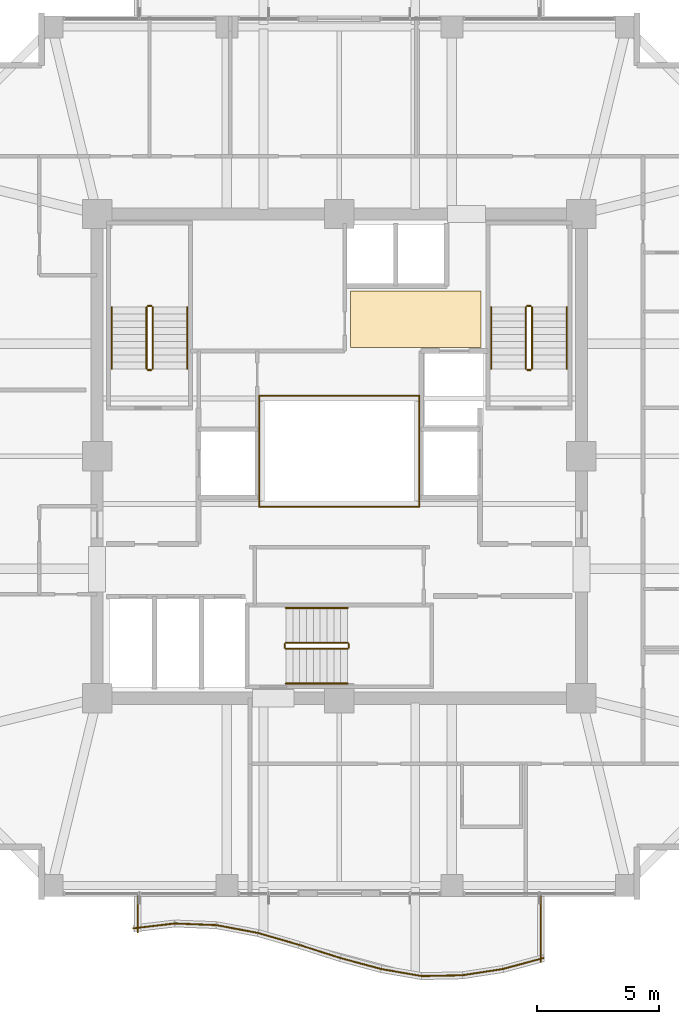
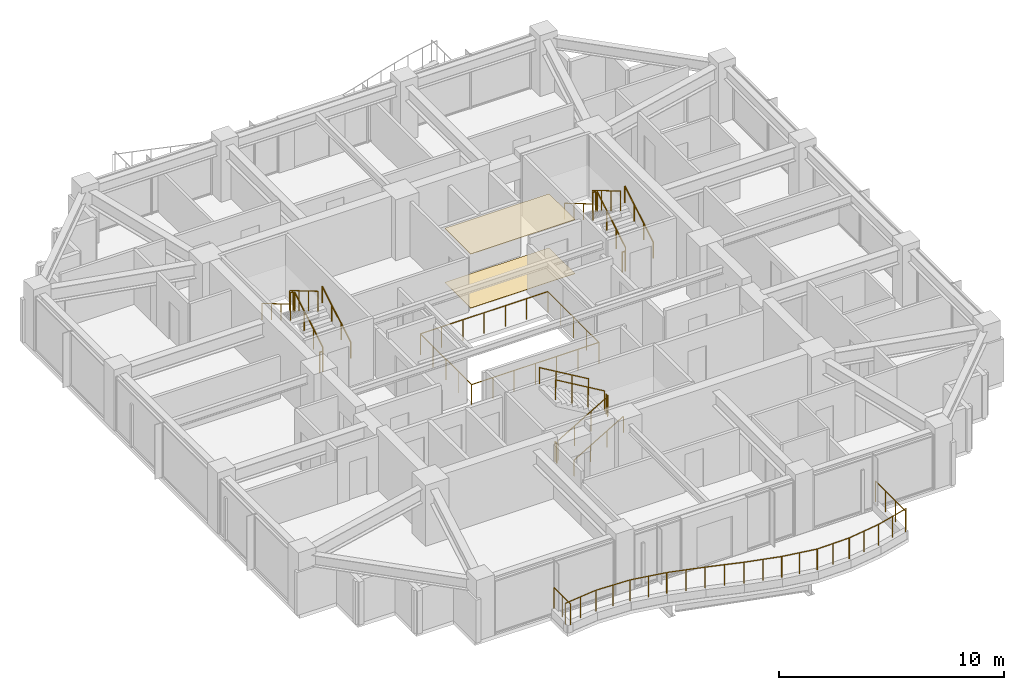
# One storey, part 30 of 31: 34 railings, 2 coverings.
"""IFC4 building model written with IfcOpenShell, lengths in metres."""

from ifc_helpers import new_model, si_unit, direction, frame, origin, origin_2d, place, context, subcontext, project, spatial, polyline, circle, outline, extrude, material, layer, layer_set, type_object, element, save


model = new_model("IFC4")

# Units and contexts
model_context = context("Model", 3, precision=1e-05, world=origin(), true_north=direction((0.0, 1.0)))
body_context = subcontext(model_context, "Body", "Model", "MODEL_VIEW")
ifc_project = project(units=[si_unit("LENGTHUNIT", "METRE"), si_unit("AREAUNIT", "SQUARE_METRE"), si_unit("VOLUMEUNIT", "CUBIC_METRE"), si_unit("PLANEANGLEUNIT", "RADIAN"), si_unit("MASSUNIT", "GRAM", prefix="KILO")], contexts=[model_context])

# Site, building, storey
site_placement = place(None, origin())
site = spatial("IfcSite", under=ifc_project, at=site_placement, CompositionType="ELEMENT")
building_placement = place(site_placement, origin())
building = spatial("IfcBuilding", under=site, at=building_placement, Name="Kolvaren Belvedere", CompositionType="ELEMENT")
storey_placement = place(building_placement, frame((0.0, 0.0, 144.800048828125)))
storey = spatial("IfcBuildingStorey", under=building, at=storey_placement, Name="L42", CompositionType="ELEMENT", Elevation=144.800048828125)

# Coverings
ifc_material_1 = material(Name="Acoustic perforated gypsum board", Category="gypsum")
ifc_layer_1 = layer(ifc_material_1, 0.02490234375)
ifc_layer_set_1 = layer_set([ifc_layer_1], Name="Acoustic perforated gypsum board")
covering_type_1 = type_object("IfcCoveringType", Name="COV-CEIL-GYP", PredefinedType="CEILING", material=ifc_layer_set_1)
covering_1_placement = place(storey_placement, frame((0.0, 0.0, 2.925048828125)))
element("IfcCovering", 1, at=covering_1_placement, inside=storey, type_object=covering_type_1, Name="L42 Lift Lobby Acoustic Baffle Ceiling", PredefinedType="CEILING", context=body_context, shape_type="SweptSolid", body=[
    extrude(outline(polyline([(0.449951171875, 4.449951171875), (5.800048828125, 4.449951171875), (5.800048828125, 6.75), (0.449951171875, 6.75), (0.449951171875, 4.449951171875)])), origin(), (0.0, 0.0, 1.0), 0.02490234375),
])
ifc_material_2 = material(Name="Engineered Pacific white oak", Category="timber")
ifc_layer_2 = layer(ifc_material_2, 0.02001953125)
ifc_layer_set_2 = layer_set([ifc_layer_2], Name="Engineered Pacific white oak")
covering_type_2 = type_object("IfcCoveringType", Name="COV-FLR-OAK", PredefinedType="FLOORING", material=ifc_layer_set_2)
covering_2_placement = place(storey_placement, origin())
element("IfcCovering", 2, at=covering_2_placement, inside=storey, type_object=covering_type_2, Name="L42 Lift Lobby Finish Flooring", PredefinedType="FLOORING", context=body_context, shape_type="SweptSolid", body=[
    extrude(outline(polyline([(0.449951171875, 4.449951171875), (5.800048828125, 4.449951171875), (5.800048828125, 6.75), (0.449951171875, 6.75), (0.449951171875, 4.449951171875)])), origin(), (0.0, 0.0, 1.0), 0.02001953125),
])

# Railings
ifc_material_3 = material(Name="Laminated glass & stainless-steel cap rail", Category="steel")
railing_type_1 = type_object("IfcRailingType", Name="RL-ATR-1150", PredefinedType="BALUSTRADE", material=ifc_material_3)
for number, where, name in (
    (3, (-3.27001953125, 2.469970703125, 0.0), "L42 Atrium North Glass Balustrade"),
    (4, (-3.27001953125, -2.070068359375, 0.0), "L42 Atrium South Glass Balustrade"),
):
    element("IfcRailing", number, at=place(storey_placement, frame(where)), inside=storey, type_object=railing_type_1, Name=name, PredefinedType="BALUSTRADE", context=body_context, shape_type="SweptSolid", body=[
        extrude(circle(Radius=0.02392578125, at=origin_2d()), frame((0.0, 0.0, 1.1259765625), z_axis=(1.0, 0.0, 0.0), x_axis=(0.0, 1.0, 0.0)), (0.0, 0.0, 1.0), 6.5400390625),
        extrude(circle(Radius=0.02099609375, at=origin_2d()), origin(), (0.0, 0.0, 1.0), 1.101806640625),
        extrude(circle(Radius=0.02099609375, at=origin_2d()), frame((1.090087890625, 0.0, 0.0)), (0.0, 0.0, 1.0), 1.101806640625),
        extrude(circle(Radius=0.02099609375, at=origin_2d()), frame((2.179931640625, 0.0, 0.0)), (0.0, 0.0, 1.0), 1.101806640625),
        extrude(circle(Radius=0.02099609375, at=origin_2d()), frame((3.27001953125, 0.0, 0.0)), (0.0, 0.0, 1.0), 1.101806640625),
        extrude(circle(Radius=0.02099609375, at=origin_2d()), frame((4.360107421875, 0.0, 0.0)), (0.0, 0.0, 1.0), 1.101806640625),
        extrude(circle(Radius=0.02099609375, at=origin_2d()), frame((5.449951171875, 0.0, 0.0)), (0.0, 0.0, 1.0), 1.101806640625),
        extrude(circle(Radius=0.02099609375, at=origin_2d()), frame((6.5400390625, 0.0, 0.0)), (0.0, 0.0, 1.0), 1.101806640625),
    ])
for number, where, name in (
    (5, (-3.27001953125, -2.070068359375, 0.0), "L42 Atrium West Glass Balustrade"),
    (6, (3.27001953125, -2.070068359375, 0.0), "L42 Atrium East Glass Balustrade"),
):
    element("IfcRailing", number, at=place(storey_placement, frame(where)), inside=storey, type_object=railing_type_1, Name=name, PredefinedType="BALUSTRADE", context=body_context, shape_type="SweptSolid", body=[
        extrude(circle(Radius=0.02392578125, at=origin_2d()), frame((0.0, 0.0, 1.1259765625), z_axis=(0.0, 1.0, 0.0), x_axis=(-1.0, 0.0, 0.0)), (0.0, 0.0, 1.0), 4.5400390625),
        extrude(circle(Radius=0.02099609375, at=origin_2d()), origin(), (0.0, 0.0, 1.0), 1.101806640625),
        extrude(circle(Radius=0.02099609375, at=origin_2d()), frame((0.0, 1.135009765625, 0.0)), (0.0, 0.0, 1.0), 1.101806640625),
        extrude(circle(Radius=0.02099609375, at=origin_2d()), frame((0.0, 2.27001953125, 0.0)), (0.0, 0.0, 1.0), 1.101806640625),
        extrude(circle(Radius=0.02099609375, at=origin_2d()), frame((0.0, 3.405029296875, 0.0)), (0.0, 0.0, 1.0), 1.101806640625),
        extrude(circle(Radius=0.02099609375, at=origin_2d()), frame((0.0, 4.5400390625, 0.0)), (0.0, 0.0, 1.0), 1.101806640625),
    ])
ifc_material_4 = material(Name="Anodised pale-metal aluminium & laminated glass guard", Category="aluminium")
railing_type_2 = type_object("IfcRailingType", Name="RL-GUARD-1150", PredefinedType="GUARDRAIL", material=ifc_material_4)
railing_1_placement = place(storey_placement, frame((-8.418701171875, -19.307373046875, 0.39990234375)))
element("IfcRailing", 7, at=railing_1_placement, inside=storey, type_object=railing_type_2, Name="L42 Exterior Deck Safety Guard BAL-S-1", PredefinedType="GUARDRAIL", context=body_context, shape_type="SweptSolid", body=[
    extrude(circle(Radius=0.02392578125, at=origin_2d()), frame((0.0, 0.0, 1.1259765625), z_axis=(0.993142720498, 0.116908240605, 0.0), x_axis=(-0.116908240605, 0.993142720498, 0.0)), (0.0, 0.0, 1.0), 1.691650390625),
    extrude(circle(Radius=0.02099609375, at=origin_2d()), origin(), (0.0, 0.0, 1.0), 1.101806640625),
    extrude(circle(Radius=0.02099609375, at=origin_2d()), frame((0.83984375, 0.098876953125, 0.0)), (0.0, 0.0, 1.0), 1.101806640625),
    extrude(circle(Radius=0.02099609375, at=origin_2d()), frame((1.679931640625, 0.19775390625, 0.0)), (0.0, 0.0, 1.0), 1.101806640625),
])
railing_2_placement = place(storey_placement, frame((-6.713623046875, -19.108642578125, 0.39990234375)))
element("IfcRailing", 8, at=railing_2_placement, inside=storey, type_object=railing_type_2, Name="L42 Exterior Deck Safety Guard BAL-S-2", PredefinedType="GUARDRAIL", context=body_context, shape_type="SweptSolid", body=[
    extrude(circle(Radius=0.02392578125, at=origin_2d()), frame((0.0, 0.0, 1.1259765625), z_axis=(0.999202349922, -0.039933243166, 0.0), x_axis=(0.039933243166, 0.999202349922, 0.0)), (0.0, 0.0, 1.0), 1.68115234375),
    extrude(circle(Radius=0.02099609375, at=origin_2d()), origin(), (0.0, 0.0, 1.0), 1.101806640625),
    extrude(circle(Radius=0.02099609375, at=origin_2d()), frame((0.83984375, -0.03369140625, 0.0)), (0.0, 0.0, 1.0), 1.101806640625),
    extrude(circle(Radius=0.02099609375, at=origin_2d()), frame((1.679931640625, -0.067138671875, 0.0)), (0.0, 0.0, 1.0), 1.101806640625),
])
railing_3_placement = place(storey_placement, frame((-5.010498046875, -19.1787109375, 0.39990234375)))
element("IfcRailing", 9, at=railing_3_placement, inside=storey, type_object=railing_type_2, Name="L42 Exterior Deck Safety Guard BAL-S-3", PredefinedType="GUARDRAIL", context=body_context, shape_type="SweptSolid", body=[
    extrude(circle(Radius=0.02392578125, at=origin_2d()), frame((0.0, 0.0, 1.1259765625), z_axis=(0.982804219087, -0.184650661912, 0.0), x_axis=(0.184650661912, 0.982804219087, 0.0)), (0.0, 0.0, 1.0), 1.70947265625),
    extrude(circle(Radius=0.02099609375, at=origin_2d()), origin(), (0.0, 0.0, 1.0), 1.101806640625),
    extrude(circle(Radius=0.02099609375, at=origin_2d()), frame((0.840087890625, -0.15771484375, 0.0)), (0.0, 0.0, 1.0), 1.101806640625),
    extrude(circle(Radius=0.02099609375, at=origin_2d()), frame((1.68017578125, -0.315673828125, 0.0)), (0.0, 0.0, 1.0), 1.101806640625),
])
railing_4_placement = place(storey_placement, frame((-3.3154296875, -19.497802734375, 0.39990234375)))
element("IfcRailing", 10, at=railing_4_placement, inside=storey, type_object=railing_type_2, Name="L42 Exterior Deck Safety Guard BAL-S-4", PredefinedType="GUARDRAIL", context=body_context, shape_type="SweptSolid", body=[
    extrude(circle(Radius=0.02392578125, at=origin_2d()), frame((0.0, 0.0, 1.1259765625), z_axis=(0.96059663827, -0.277946215201, 0.0), x_axis=(0.277946215201, 0.96059663827, 0.0)), (0.0, 0.0, 1.0), 1.748779296875),
    extrude(circle(Radius=0.02099609375, at=origin_2d()), origin(), (0.0, 0.0, 1.0), 1.101806640625),
    extrude(circle(Radius=0.02099609375, at=origin_2d()), frame((0.83984375, -0.2431640625, 0.0)), (0.0, 0.0, 1.0), 1.101806640625),
    extrude(circle(Radius=0.02099609375, at=origin_2d()), frame((1.679931640625, -0.486083984375, 0.0)), (0.0, 0.0, 1.0), 1.101806640625),
])
railing_5_placement = place(storey_placement, frame((-1.63134765625, -19.985107421875, 0.39990234375)))
element("IfcRailing", 11, at=railing_5_placement, inside=storey, type_object=railing_type_2, Name="L42 Exterior Deck Safety Guard BAL-S-5", PredefinedType="GUARDRAIL", context=body_context, shape_type="SweptSolid", body=[
    extrude(circle(Radius=0.02392578125, at=origin_2d()), frame((0.0, 0.0, 1.1259765625), z_axis=(0.952661770826, -0.304032153573, 0.0), x_axis=(0.304032153573, 0.952661770826, 0.0)), (0.0, 0.0, 1.0), 1.763427734375),
    extrude(circle(Radius=0.02099609375, at=origin_2d()), origin(), (0.0, 0.0, 1.0), 1.101806640625),
    extrude(circle(Radius=0.02099609375, at=origin_2d()), frame((0.83984375, -0.26806640625, 0.0)), (0.0, 0.0, 1.0), 1.101806640625),
    extrude(circle(Radius=0.02099609375, at=origin_2d()), frame((1.679931640625, -0.5361328125, 0.0)), (0.0, 0.0, 1.0), 1.101806640625),
])
railing_6_placement = place(storey_placement, frame((0.041748046875, -20.519287109375, 0.39990234375)))
element("IfcRailing", 12, at=railing_6_placement, inside=storey, type_object=railing_type_2, Name="L42 Exterior Deck Safety Guard BAL-S-6", PredefinedType="GUARDRAIL", context=body_context, shape_type="SweptSolid", body=[
    extrude(circle(Radius=0.02392578125, at=origin_2d()), frame((0.0, 0.0, 1.1259765625), z_axis=(0.965424492388, -0.260682852326, 0.0), x_axis=(0.260682852326, 0.965424492388, 0.0)), (0.0, 0.0, 1.0), 1.739990234375),
    extrude(circle(Radius=0.02099609375, at=origin_2d()), origin(), (0.0, 0.0, 1.0), 1.101806640625),
    extrude(circle(Radius=0.02099609375, at=origin_2d()), frame((0.83984375, -0.226806640625, 0.0)), (0.0, 0.0, 1.0), 1.101806640625),
    extrude(circle(Radius=0.02099609375, at=origin_2d()), frame((1.679931640625, -0.45361328125, 0.0)), (0.0, 0.0, 1.0), 1.101806640625),
])
railing_7_placement = place(storey_placement, frame((1.70751953125, -20.9697265625, 0.39990234375)))
element("IfcRailing", 13, at=railing_7_placement, inside=storey, type_object=railing_type_2, Name="L42 Exterior Deck Safety Guard BAL-S-7", PredefinedType="GUARDRAIL", context=body_context, shape_type="SweptSolid", body=[
    extrude(circle(Radius=0.02392578125, at=origin_2d()), frame((0.0, 0.0, 1.1259765625), z_axis=(0.985156010777, -0.171661394699, 0.0), x_axis=(0.171661394699, 0.985156010777, 0.0)), (0.0, 0.0, 1.0), 1.705322265625),
    extrude(circle(Radius=0.02099609375, at=origin_2d()), origin(), (0.0, 0.0, 1.0), 1.101806640625),
    extrude(circle(Radius=0.02099609375, at=origin_2d()), frame((0.83984375, -0.146484375, 0.0)), (0.0, 0.0, 1.0), 1.101806640625),
    extrude(circle(Radius=0.02099609375, at=origin_2d()), frame((1.679931640625, -0.292724609375, 0.0)), (0.0, 0.0, 1.0), 1.101806640625),
])
railing_8_placement = place(storey_placement, frame((3.356689453125, -21.260009765625, 0.39990234375)))
element("IfcRailing", 14, at=railing_8_placement, inside=storey, type_object=railing_type_2, Name="L42 Exterior Deck Safety Guard BAL-S-8", PredefinedType="GUARDRAIL", context=body_context, shape_type="SweptSolid", body=[
    extrude(circle(Radius=0.02392578125, at=origin_2d()), frame((0.0, 0.0, 1.1259765625), z_axis=(0.99979609052, 0.020193498486, 0.0), x_axis=(-0.020193498486, 0.99979609052, 0.0)), (0.0, 0.0, 1.0), 1.680419921875),
    extrude(circle(Radius=0.02099609375, at=origin_2d()), origin(), (0.0, 0.0, 1.0), 1.101806640625),
    extrude(circle(Radius=0.02099609375, at=origin_2d()), frame((0.840087890625, 0.01708984375, 0.0)), (0.0, 0.0, 1.0), 1.101806640625),
    extrude(circle(Radius=0.02099609375, at=origin_2d()), frame((1.68017578125, 0.033935546875, 0.0)), (0.0, 0.0, 1.0), 1.101806640625),
])
railing_9_placement = place(storey_placement, frame((5.015625, -21.22802734375, 0.39990234375)))
element("IfcRailing", 15, at=railing_9_placement, inside=storey, type_object=railing_type_2, Name="L42 Exterior Deck Safety Guard BAL-S-9", PredefinedType="GUARDRAIL", context=body_context, shape_type="SweptSolid", body=[
    extrude(circle(Radius=0.02392578125, at=origin_2d()), frame((0.0, 0.0, 1.1259765625), z_axis=(0.988341789514, 0.152251460091, 0.0), x_axis=(-0.152251460091, 0.988341789514, 0.0)), (0.0, 0.0, 1.0), 1.69970703125),
    extrude(circle(Radius=0.02099609375, at=origin_2d()), origin(), (0.0, 0.0, 1.0), 1.101806640625),
    extrude(circle(Radius=0.02099609375, at=origin_2d()), frame((0.83984375, 0.12939453125, 0.0)), (0.0, 0.0, 1.0), 1.101806640625),
    extrude(circle(Radius=0.02099609375, at=origin_2d()), frame((1.679931640625, 0.2587890625, 0.0)), (0.0, 0.0, 1.0), 1.101806640625),
])
railing_10_placement = place(storey_placement, frame((6.67822265625, -20.972900390625, 0.39990234375)))
element("IfcRailing", 16, at=railing_10_placement, inside=storey, type_object=railing_type_2, Name="L42 Exterior Deck Safety Guard BAL-S-10", PredefinedType="GUARDRAIL", context=body_context, shape_type="SweptSolid", body=[
    extrude(circle(Radius=0.02392578125, at=origin_2d()), frame((0.0, 0.0, 1.1259765625), z_axis=(0.965434024814, 0.260647546949, 0.0), x_axis=(-0.260647546949, 0.965434024814, 0.0)), (0.0, 0.0, 1.0), 1.740234375),
    extrude(circle(Radius=0.02099609375, at=origin_2d()), origin(), (0.0, 0.0, 1.0), 1.101806640625),
    extrude(circle(Radius=0.02099609375, at=origin_2d()), frame((0.840087890625, 0.226806640625, 0.0)), (0.0, 0.0, 1.0), 1.101806640625),
    extrude(circle(Radius=0.02099609375, at=origin_2d()), frame((1.68017578125, 0.45361328125, 0.0)), (0.0, 0.0, 1.0), 1.101806640625),
])
railing_11_placement = place(storey_placement, frame((8.239990234375, -20.673583984375, 0.39990234375)))
element("IfcRailing", 17, at=railing_11_placement, inside=storey, type_object=railing_type_2, Name="L42 Exterior Deck Safety Guard BAL-S-11", PredefinedType="GUARDRAIL", context=body_context, shape_type="SweptSolid", body=[
    extrude(circle(Radius=0.02392578125, at=origin_2d()), frame((0.0, 0.0, 1.1259765625), z_axis=(0.0, 1.0, 0.0), x_axis=(-1.0, 0.0, 0.0)), (0.0, 0.0, 1.0), 2.673583984375),
    extrude(circle(Radius=0.02099609375, at=origin_2d()), origin(), (0.0, 0.0, 1.0), 1.101806640625),
    extrude(circle(Radius=0.02099609375, at=origin_2d()), frame((0.0, 0.89111328125, 0.0)), (0.0, 0.0, 1.0), 1.101806640625),
    extrude(circle(Radius=0.02099609375, at=origin_2d()), frame((0.0, 1.782470703125, 0.0)), (0.0, 0.0, 1.0), 1.101806640625),
    extrude(circle(Radius=0.02099609375, at=origin_2d()), frame((0.0, 2.673583984375, 0.0)), (0.0, 0.0, 1.0), 1.101806640625),
])
railing_12_placement = place(storey_placement, frame((-8.239990234375, -18.0, 0.39990234375)))
element("IfcRailing", 18, at=railing_12_placement, inside=storey, type_object=railing_type_2, Name="L42 Exterior Deck Safety Guard BAL-S-22", PredefinedType="GUARDRAIL", context=body_context, shape_type="SweptSolid", body=[
    extrude(circle(Radius=0.02392578125, at=origin_2d()), frame((0.0, 0.0, 1.1259765625), z_axis=(0.0, -1.0, 0.0), x_axis=(1.0, 0.0, 0.0)), (0.0, 0.0, 1.0), 1.46630859375),
    extrude(circle(Radius=0.02099609375, at=origin_2d()), origin(), (0.0, 0.0, 1.0), 1.101806640625),
    extrude(circle(Radius=0.02099609375, at=origin_2d()), frame((0.0, -0.733154296875, 0.0)), (0.0, 0.0, 1.0), 1.101806640625),
    extrude(circle(Radius=0.02099609375, at=origin_2d()), frame((0.0, -1.46630859375, 0.0)), (0.0, 0.0, 1.0), 1.101806640625),
])
ifc_material_5 = material(Name="Brushed stainless-steel handrail", Category="steel")
railing_type_3 = type_object("IfcRailingType", Name="RL-HANDRAIL-920", PredefinedType="HANDRAIL", material=ifc_material_5)
railing_13_placement = place(storey_placement, frame((-6.2099609375, 3.570068359375, 0.1650390625)))
element("IfcRailing", 19, at=railing_13_placement, inside=storey, type_object=railing_type_3, Name="L42 ST-1 stair handrail 1", PredefinedType="HANDRAIL", context=body_context, shape_type="SweptSolid", body=[
    extrude(circle(Radius=0.02392578125, at=origin_2d()), frame((0.0, 0.0, 0.8759765625), z_axis=(0.0, 0.861560626758, 0.507654692109), x_axis=(-1.0, 0.0, 0.0)), (0.0, 0.0, 1.0), 2.925048828125),
    extrude(circle(Radius=0.02099609375, at=origin_2d()), origin(), (0.0, 0.0, 1.0), 0.851806640625),
    extrude(circle(Radius=0.02099609375, at=origin_2d()), frame((0.0, 0.840087890625, 0.494873046875)), (0.0, 0.0, 1.0), 0.851806640625),
    extrude(circle(Radius=0.02099609375, at=origin_2d()), frame((0.0, 1.679931640625, 0.989990234375)), (0.0, 0.0, 1.0), 0.851806640625),
    extrude(circle(Radius=0.02099609375, at=origin_2d()), frame((0.0, 2.52001953125, 1.48486328125)), (0.0, 0.0, 1.0), 0.851806640625),
])
railing_14_placement = place(storey_placement, frame((-9.300048828125, 6.090087890625, 1.81494140625)))
element("IfcRailing", 20, at=railing_14_placement, inside=storey, type_object=railing_type_3, Name="L42 ST-1 stair handrail 2", PredefinedType="HANDRAIL", context=body_context, shape_type="SweptSolid", body=[
    extrude(circle(Radius=0.02392578125, at=origin_2d()), frame((0.0, 0.0, 0.8759765625), z_axis=(0.0, -0.86152411907, 0.507716645641), x_axis=(1.0, 0.0, 0.0)), (0.0, 0.0, 1.0), 2.925048828125),
    extrude(circle(Radius=0.02099609375, at=origin_2d()), origin(), (0.0, 0.0, 1.0), 0.851806640625),
    extrude(circle(Radius=0.02099609375, at=origin_2d()), frame((0.0, -0.840087890625, 0.4951171875)), (0.0, 0.0, 1.0), 0.851806640625),
    extrude(circle(Radius=0.02099609375, at=origin_2d()), frame((0.0, -1.679931640625, 0.989990234375)), (0.0, 0.0, 1.0), 0.851806640625),
    extrude(circle(Radius=0.02099609375, at=origin_2d()), frame((0.0, -2.52001953125, 1.485107421875)), (0.0, 0.0, 1.0), 0.851806640625),
])
railing_15_placement = place(storey_placement, frame((9.300048828125, 3.570068359375, 0.1650390625)))
element("IfcRailing", 21, at=railing_15_placement, inside=storey, type_object=railing_type_3, Name="L42 ST-2 stair handrail 1", PredefinedType="HANDRAIL", context=body_context, shape_type="SweptSolid", body=[
    extrude(circle(Radius=0.02392578125, at=origin_2d()), frame((0.0, 0.0, 0.8759765625), z_axis=(0.0, 0.861560626758, 0.507654692109), x_axis=(-1.0, 0.0, 0.0)), (0.0, 0.0, 1.0), 2.925048828125),
    extrude(circle(Radius=0.02099609375, at=origin_2d()), origin(), (0.0, 0.0, 1.0), 0.851806640625),
    extrude(circle(Radius=0.02099609375, at=origin_2d()), frame((0.0, 0.840087890625, 0.494873046875)), (0.0, 0.0, 1.0), 0.851806640625),
    extrude(circle(Radius=0.02099609375, at=origin_2d()), frame((0.0, 1.679931640625, 0.989990234375)), (0.0, 0.0, 1.0), 0.851806640625),
    extrude(circle(Radius=0.02099609375, at=origin_2d()), frame((0.0, 2.52001953125, 1.48486328125)), (0.0, 0.0, 1.0), 0.851806640625),
])
railing_16_placement = place(storey_placement, frame((6.2099609375, 6.090087890625, 1.81494140625)))
element("IfcRailing", 22, at=railing_16_placement, inside=storey, type_object=railing_type_3, Name="L42 ST-2 stair handrail 2", PredefinedType="HANDRAIL", context=body_context, shape_type="SweptSolid", body=[
    extrude(circle(Radius=0.02392578125, at=origin_2d()), frame((0.0, 0.0, 0.8759765625), z_axis=(0.0, -0.86152411907, 0.507716645641), x_axis=(1.0, 0.0, 0.0)), (0.0, 0.0, 1.0), 2.925048828125),
    extrude(circle(Radius=0.02099609375, at=origin_2d()), origin(), (0.0, 0.0, 1.0), 0.851806640625),
    extrude(circle(Radius=0.02099609375, at=origin_2d()), frame((0.0, -0.840087890625, 0.4951171875)), (0.0, 0.0, 1.0), 0.851806640625),
    extrude(circle(Radius=0.02099609375, at=origin_2d()), frame((0.0, -1.679931640625, 0.989990234375)), (0.0, 0.0, 1.0), 0.851806640625),
    extrude(circle(Radius=0.02099609375, at=origin_2d()), frame((0.0, -2.52001953125, 1.485107421875)), (0.0, 0.0, 1.0), 0.851806640625),
])
railing_17_placement = place(storey_placement, frame((-2.179931640625, -9.300048828125, 0.1650390625)))
element("IfcRailing", 23, at=railing_17_placement, inside=storey, type_object=railing_type_3, Name="L42 ST-3 stair handrail 1", PredefinedType="HANDRAIL", context=body_context, shape_type="SweptSolid", body=[
    extrude(circle(Radius=0.02392578125, at=origin_2d()), frame((0.0, 0.0, 0.8759765625), z_axis=(0.861560626758, 0.0, 0.507654692109), x_axis=(0.0, 1.0, 0.0)), (0.0, 0.0, 1.0), 2.925048828125),
    extrude(circle(Radius=0.02099609375, at=origin_2d()), origin(), (0.0, 0.0, 1.0), 0.851806640625),
    extrude(circle(Radius=0.02099609375, at=origin_2d()), frame((0.840087890625, 0.0, 0.494873046875)), (0.0, 0.0, 1.0), 0.851806640625),
    extrude(circle(Radius=0.02099609375, at=origin_2d()), frame((1.679931640625, 0.0, 0.989990234375)), (0.0, 0.0, 1.0), 0.851806640625),
    extrude(circle(Radius=0.02099609375, at=origin_2d()), frame((2.52001953125, 0.0, 1.48486328125)), (0.0, 0.0, 1.0), 0.851806640625),
])
railing_18_placement = place(storey_placement, frame((0.340087890625, -6.2099609375, 1.81494140625)))
element("IfcRailing", 24, at=railing_18_placement, inside=storey, type_object=railing_type_3, Name="L42 ST-3 stair handrail 2", PredefinedType="HANDRAIL", context=body_context, shape_type="SweptSolid", body=[
    extrude(circle(Radius=0.02392578125, at=origin_2d()), frame((0.0, 0.0, 0.8759765625), z_axis=(-0.86152411907, 0.0, 0.507716645641), x_axis=(0.0, -1.0, 0.0)), (0.0, 0.0, 1.0), 2.925048828125),
    extrude(circle(Radius=0.02099609375, at=origin_2d()), origin(), (0.0, 0.0, 1.0), 0.851806640625),
    extrude(circle(Radius=0.02099609375, at=origin_2d()), frame((-0.840087890625, 0.0, 0.4951171875)), (0.0, 0.0, 1.0), 0.851806640625),
    extrude(circle(Radius=0.02099609375, at=origin_2d()), frame((-1.679931640625, 0.0, 0.989990234375)), (0.0, 0.0, 1.0), 0.851806640625),
    extrude(circle(Radius=0.02099609375, at=origin_2d()), frame((-2.52001953125, 0.0, 1.485107421875)), (0.0, 0.0, 1.0), 0.851806640625),
])
ifc_material_6 = material(Name="Painted tubular steel stair guard", Category="steel")
railing_type_4 = type_object("IfcRailingType", Name="RL-STGUARD-1100", PredefinedType="GUARDRAIL", material=ifc_material_6)
railing_19_placement = place(storey_placement, frame((-7.6298828125, 3.570068359375, 0.1650390625)))
element("IfcRailing", 25, at=railing_19_placement, inside=storey, type_object=railing_type_4, Name="L42 ST-1 stair guard 1", PredefinedType="GUARDRAIL", context=body_context, shape_type="SweptSolid", body=[
    extrude(circle(Radius=0.02392578125, at=origin_2d()), frame((0.0, 0.0, 1.076171875), z_axis=(0.0, 0.861560626758, 0.507654692109), x_axis=(-1.0, 0.0, 0.0)), (0.0, 0.0, 1.0), 2.925048828125),
    extrude(circle(Radius=0.02099609375, at=origin_2d()), origin(), (0.0, 0.0, 1.0), 1.052001953125),
    extrude(circle(Radius=0.02099609375, at=origin_2d()), frame((0.0, 0.840087890625, 0.494873046875)), (0.0, 0.0, 1.0), 1.052001953125),
    extrude(circle(Radius=0.02099609375, at=origin_2d()), frame((0.0, 1.679931640625, 0.989990234375)), (0.0, 0.0, 1.0), 1.052001953125),
    extrude(circle(Radius=0.02099609375, at=origin_2d()), frame((0.0, 2.52001953125, 1.48486328125)), (0.0, 0.0, 1.0), 1.052001953125),
])
railing_20_placement = place(storey_placement, frame((-7.679931640625, 6.139892578125, 1.64990234375)))
element("IfcRailing", 26, at=railing_20_placement, inside=storey, type_object=railing_type_4, Name="L42 ST-1 stair guard 2", PredefinedType="GUARDRAIL", context=body_context, shape_type="SweptSolid", body=[
    extrude(circle(Radius=0.02392578125, at=origin_2d()), frame((0.0, 0.0, 1.076171875), z_axis=(-1.0, 0.0, 0.0), x_axis=(0.0, -1.0, 0.0)), (0.0, 0.0, 1.0), 0.150146484375),
    extrude(circle(Radius=0.02099609375, at=origin_2d()), origin(), (0.0, 0.0, 1.0), 1.052001953125),
    extrude(circle(Radius=0.02099609375, at=origin_2d()), frame((-0.150146484375, 0.0, 0.0)), (0.0, 0.0, 1.0), 1.052001953125),
])
railing_21_placement = place(storey_placement, frame((-7.8798828125, 6.090087890625, 1.81494140625)))
element("IfcRailing", 27, at=railing_21_placement, inside=storey, type_object=railing_type_4, Name="L42 ST-1 stair guard 3", PredefinedType="GUARDRAIL", context=body_context, shape_type="SweptSolid", body=[
    extrude(circle(Radius=0.02392578125, at=origin_2d()), frame((0.0, 0.0, 1.076171875), z_axis=(0.0, -0.86152411907, 0.507716645641), x_axis=(1.0, 0.0, 0.0)), (0.0, 0.0, 1.0), 2.925048828125),
    extrude(circle(Radius=0.02099609375, at=origin_2d()), origin(), (0.0, 0.0, 1.0), 1.052001953125),
    extrude(circle(Radius=0.02099609375, at=origin_2d()), frame((0.0, -0.840087890625, 0.4951171875)), (0.0, 0.0, 1.0), 1.052001953125),
    extrude(circle(Radius=0.02099609375, at=origin_2d()), frame((0.0, -1.679931640625, 0.989990234375)), (0.0, 0.0, 1.0), 1.052001953125),
    extrude(circle(Radius=0.02099609375, at=origin_2d()), frame((0.0, -2.52001953125, 1.485107421875)), (0.0, 0.0, 1.0), 1.052001953125),
])
railing_22_placement = place(storey_placement, frame((-7.679931640625, 3.52001953125, 0.0)))
element("IfcRailing", 28, at=railing_22_placement, inside=storey, type_object=railing_type_4, Name="L42 ST-1 stair guard 4", PredefinedType="GUARDRAIL", context=body_context, shape_type="SweptSolid", body=[
    extrude(circle(Radius=0.02392578125, at=origin_2d()), frame((0.0, 0.0, 1.076171875), z_axis=(-1.0, 0.0, 0.0), x_axis=(0.0, -1.0, 0.0)), (0.0, 0.0, 1.0), 0.150146484375),
    extrude(circle(Radius=0.02099609375, at=origin_2d()), origin(), (0.0, 0.0, 1.0), 1.052001953125),
    extrude(circle(Radius=0.02099609375, at=origin_2d()), frame((-0.150146484375, 0.0, 0.0)), (0.0, 0.0, 1.0), 1.052001953125),
])
railing_23_placement = place(storey_placement, frame((7.8798828125, 3.570068359375, 0.1650390625)))
element("IfcRailing", 29, at=railing_23_placement, inside=storey, type_object=railing_type_4, Name="L42 ST-2 stair guard 1", PredefinedType="GUARDRAIL", context=body_context, shape_type="SweptSolid", body=[
    extrude(circle(Radius=0.02392578125, at=origin_2d()), frame((0.0, 0.0, 1.076171875), z_axis=(0.0, 0.861560626758, 0.507654692109), x_axis=(-1.0, 0.0, 0.0)), (0.0, 0.0, 1.0), 2.925048828125),
    extrude(circle(Radius=0.02099609375, at=origin_2d()), origin(), (0.0, 0.0, 1.0), 1.052001953125),
    extrude(circle(Radius=0.02099609375, at=origin_2d()), frame((0.0, 0.840087890625, 0.494873046875)), (0.0, 0.0, 1.0), 1.052001953125),
    extrude(circle(Radius=0.02099609375, at=origin_2d()), frame((0.0, 1.679931640625, 0.989990234375)), (0.0, 0.0, 1.0), 1.052001953125),
    extrude(circle(Radius=0.02099609375, at=origin_2d()), frame((0.0, 2.52001953125, 1.48486328125)), (0.0, 0.0, 1.0), 1.052001953125),
])
railing_24_placement = place(storey_placement, frame((7.830078125, 6.139892578125, 1.64990234375)))
element("IfcRailing", 30, at=railing_24_placement, inside=storey, type_object=railing_type_4, Name="L42 ST-2 stair guard 2", PredefinedType="GUARDRAIL", context=body_context, shape_type="SweptSolid", body=[
    extrude(circle(Radius=0.02392578125, at=origin_2d()), frame((0.0, 0.0, 1.076171875), z_axis=(-1.0, 0.0, 0.0), x_axis=(0.0, -1.0, 0.0)), (0.0, 0.0, 1.0), 0.150146484375),
    extrude(circle(Radius=0.02099609375, at=origin_2d()), origin(), (0.0, 0.0, 1.0), 1.052001953125),
    extrude(circle(Radius=0.02099609375, at=origin_2d()), frame((-0.150146484375, 0.0, 0.0)), (0.0, 0.0, 1.0), 1.052001953125),
])
railing_25_placement = place(storey_placement, frame((7.6298828125, 6.090087890625, 1.81494140625)))
element("IfcRailing", 31, at=railing_25_placement, inside=storey, type_object=railing_type_4, Name="L42 ST-2 stair guard 3", PredefinedType="GUARDRAIL", context=body_context, shape_type="SweptSolid", body=[
    extrude(circle(Radius=0.02392578125, at=origin_2d()), frame((0.0, 0.0, 1.076171875), z_axis=(0.0, -0.86152411907, 0.507716645641), x_axis=(1.0, 0.0, 0.0)), (0.0, 0.0, 1.0), 2.925048828125),
    extrude(circle(Radius=0.02099609375, at=origin_2d()), origin(), (0.0, 0.0, 1.0), 1.052001953125),
    extrude(circle(Radius=0.02099609375, at=origin_2d()), frame((0.0, -0.840087890625, 0.4951171875)), (0.0, 0.0, 1.0), 1.052001953125),
    extrude(circle(Radius=0.02099609375, at=origin_2d()), frame((0.0, -1.679931640625, 0.989990234375)), (0.0, 0.0, 1.0), 1.052001953125),
    extrude(circle(Radius=0.02099609375, at=origin_2d()), frame((0.0, -2.52001953125, 1.485107421875)), (0.0, 0.0, 1.0), 1.052001953125),
])
railing_26_placement = place(storey_placement, frame((7.830078125, 3.52001953125, 0.0)))
element("IfcRailing", 32, at=railing_26_placement, inside=storey, type_object=railing_type_4, Name="L42 ST-2 stair guard 4", PredefinedType="GUARDRAIL", context=body_context, shape_type="SweptSolid", body=[
    extrude(circle(Radius=0.02392578125, at=origin_2d()), frame((0.0, 0.0, 1.076171875), z_axis=(-1.0, 0.0, 0.0), x_axis=(0.0, -1.0, 0.0)), (0.0, 0.0, 1.0), 0.150146484375),
    extrude(circle(Radius=0.02099609375, at=origin_2d()), origin(), (0.0, 0.0, 1.0), 1.052001953125),
    extrude(circle(Radius=0.02099609375, at=origin_2d()), frame((-0.150146484375, 0.0, 0.0)), (0.0, 0.0, 1.0), 1.052001953125),
])
railing_27_placement = place(storey_placement, frame((-2.179931640625, -7.8798828125, 0.1650390625)))
element("IfcRailing", 33, at=railing_27_placement, inside=storey, type_object=railing_type_4, Name="L42 ST-3 stair guard 1", PredefinedType="GUARDRAIL", context=body_context, shape_type="SweptSolid", body=[
    extrude(circle(Radius=0.02392578125, at=origin_2d()), frame((0.0, 0.0, 1.076171875), z_axis=(0.861560626758, 0.0, 0.507654692109), x_axis=(0.0, 1.0, 0.0)), (0.0, 0.0, 1.0), 2.925048828125),
    extrude(circle(Radius=0.02099609375, at=origin_2d()), origin(), (0.0, 0.0, 1.0), 1.052001953125),
    extrude(circle(Radius=0.02099609375, at=origin_2d()), frame((0.840087890625, 0.0, 0.494873046875)), (0.0, 0.0, 1.0), 1.052001953125),
    extrude(circle(Radius=0.02099609375, at=origin_2d()), frame((1.679931640625, 0.0, 0.989990234375)), (0.0, 0.0, 1.0), 1.052001953125),
    extrude(circle(Radius=0.02099609375, at=origin_2d()), frame((2.52001953125, 0.0, 1.48486328125)), (0.0, 0.0, 1.0), 1.052001953125),
])
railing_28_placement = place(storey_placement, frame((0.389892578125, -7.830078125, 1.64990234375)))
element("IfcRailing", 34, at=railing_28_placement, inside=storey, type_object=railing_type_4, Name="L42 ST-3 stair guard 2", PredefinedType="GUARDRAIL", context=body_context, shape_type="SweptSolid", body=[
    extrude(circle(Radius=0.02392578125, at=origin_2d()), frame((0.0, 0.0, 1.076171875), z_axis=(0.0, 1.0, 0.0), x_axis=(-1.0, 0.0, 0.0)), (0.0, 0.0, 1.0), 0.150146484375),
    extrude(circle(Radius=0.02099609375, at=origin_2d()), origin(), (0.0, 0.0, 1.0), 1.052001953125),
    extrude(circle(Radius=0.02099609375, at=origin_2d()), frame((0.0, 0.150146484375, 0.0)), (0.0, 0.0, 1.0), 1.052001953125),
])
railing_29_placement = place(storey_placement, frame((0.340087890625, -7.6298828125, 1.81494140625)))
element("IfcRailing", 35, at=railing_29_placement, inside=storey, type_object=railing_type_4, Name="L42 ST-3 stair guard 3", PredefinedType="GUARDRAIL", context=body_context, shape_type="SweptSolid", body=[
    extrude(circle(Radius=0.02392578125, at=origin_2d()), frame((0.0, 0.0, 1.076171875), z_axis=(-0.86152411907, 0.0, 0.507716645641), x_axis=(0.0, -1.0, 0.0)), (0.0, 0.0, 1.0), 2.925048828125),
    extrude(circle(Radius=0.02099609375, at=origin_2d()), origin(), (0.0, 0.0, 1.0), 1.052001953125),
    extrude(circle(Radius=0.02099609375, at=origin_2d()), frame((-0.840087890625, 0.0, 0.4951171875)), (0.0, 0.0, 1.0), 1.052001953125),
    extrude(circle(Radius=0.02099609375, at=origin_2d()), frame((-1.679931640625, 0.0, 0.989990234375)), (0.0, 0.0, 1.0), 1.052001953125),
    extrude(circle(Radius=0.02099609375, at=origin_2d()), frame((-2.52001953125, 0.0, 1.485107421875)), (0.0, 0.0, 1.0), 1.052001953125),
])
railing_30_placement = place(storey_placement, frame((-2.22998046875, -7.830078125, 0.0)))
element("IfcRailing", 36, at=railing_30_placement, inside=storey, type_object=railing_type_4, Name="L42 ST-3 stair guard 4", PredefinedType="GUARDRAIL", context=body_context, shape_type="SweptSolid", body=[
    extrude(circle(Radius=0.02392578125, at=origin_2d()), frame((0.0, 0.0, 1.076171875), z_axis=(0.0, 1.0, 0.0), x_axis=(-1.0, 0.0, 0.0)), (0.0, 0.0, 1.0), 0.150146484375),
    extrude(circle(Radius=0.02099609375, at=origin_2d()), origin(), (0.0, 0.0, 1.0), 1.052001953125),
    extrude(circle(Radius=0.02099609375, at=origin_2d()), frame((0.0, 0.150146484375, 0.0)), (0.0, 0.0, 1.0), 1.052001953125),
])

save(model, "model.ifc")
